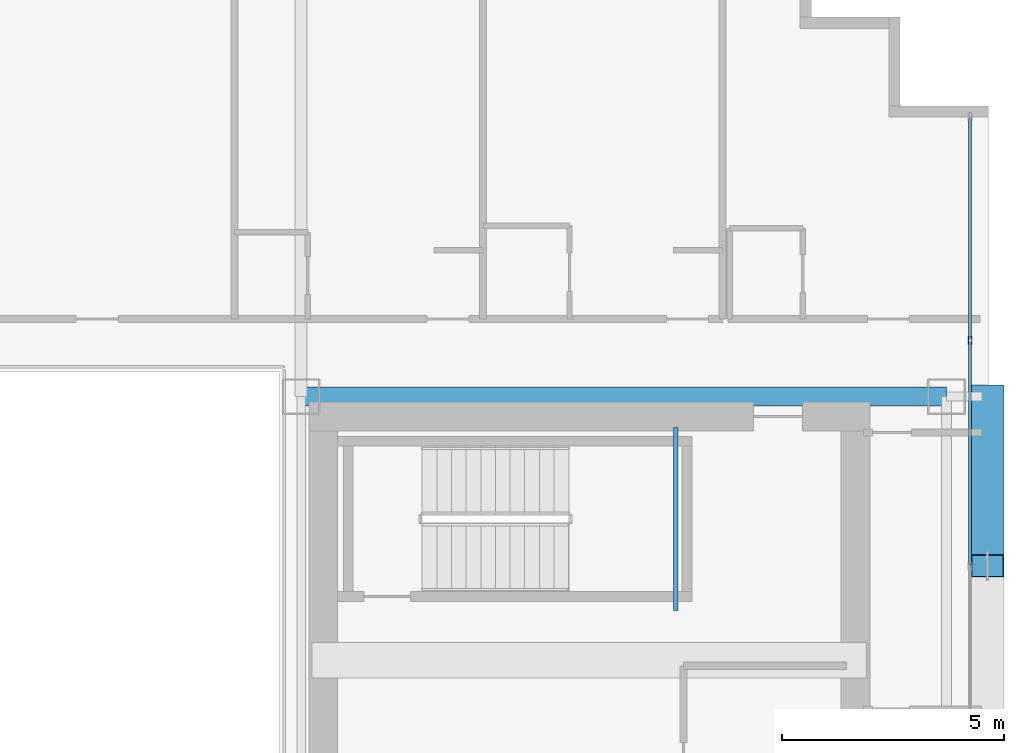
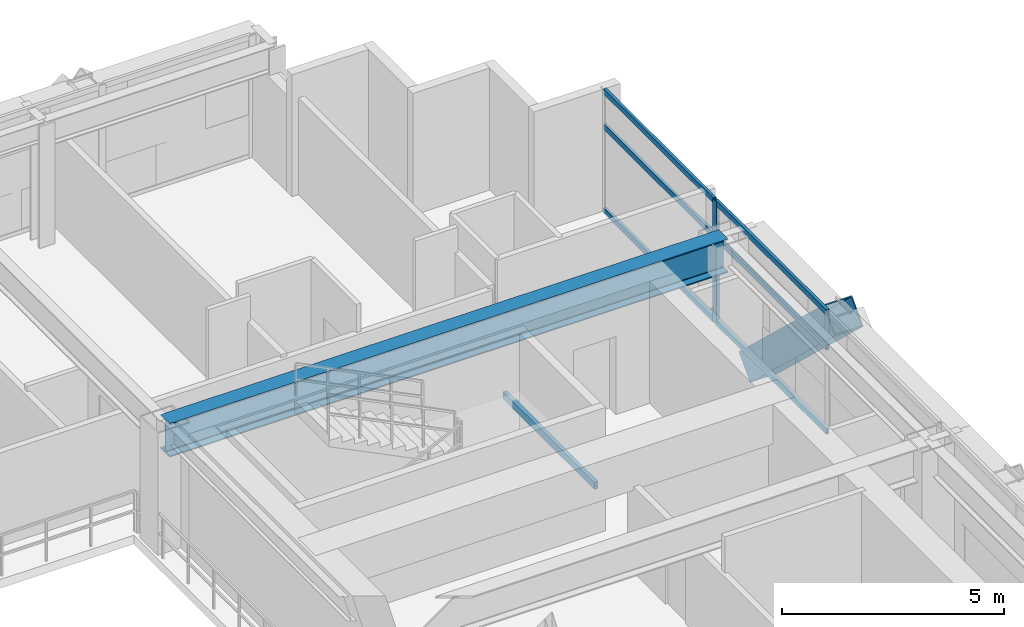
# One storey, part 20 of 35: 8 members, 2 beams, 1 element without a shape of its own.
"""IFC4 building model written with IfcOpenShell, lengths in metres."""

from ifc_helpers import new_model, si_unit, direction, frame, origin, origin_2d, place, context, subcontext, project, spatial, hollow_rectangle, i_section, extrude, source, transform, mapped, material, layer, layer_set, material_profile, profile_set, type_object, element, aggregate, save


model = new_model("IFC4")

# Units and contexts
model_context = context("Model", 3, precision=1e-05, world=origin(), true_north=direction((0.0, 1.0)))
body_context = subcontext(model_context, "Body", "Model", "MODEL_VIEW")
ifc_project = project(units=[si_unit("LENGTHUNIT", "METRE"), si_unit("AREAUNIT", "SQUARE_METRE"), si_unit("VOLUMEUNIT", "CUBIC_METRE"), si_unit("PLANEANGLEUNIT", "RADIAN"), si_unit("MASSUNIT", "GRAM", prefix="KILO")], contexts=[model_context])

# Site, building, storey
site_placement = place(None, origin())
site = spatial("IfcSite", under=ifc_project, at=site_placement, CompositionType="ELEMENT")
building_placement = place(site_placement, origin())
building = spatial("IfcBuilding", under=site, at=building_placement, Name="Ocotamira Hotel", CompositionType="ELEMENT")
storey_placement = place(building_placement, frame((0.0, 0.0, 118.800048828125)))
storey = spatial("IfcBuildingStorey", under=building, at=storey_placement, Name="L29", CompositionType="ELEMENT", Elevation=118.800048828125)

# Beams
ifc_material_1 = material(Name="Steel ASTM A500 Grade C", Category="steel")
ifc_material_profile_1 = material_profile(ifc_material_1, hollow_rectangle(XDim=0.10009765625, YDim=0.199951171875, WallThickness=0.008056640625, at=origin_2d()), Name="HSS200X100X8")
ifc_profile_set_1 = profile_set([ifc_material_profile_1], Name="Steel ASTM A500 Grade C")
beam_type_1 = type_object("IfcBeamType", Name="BM-STLDG-HSS200", PredefinedType="BEAM", material=ifc_profile_set_1)
shared_shape_1 = source(origin(), body_context, "Body", "SweptSolid", [
    extrude(hollow_rectangle(XDim=0.10009765625, YDim=0.199951171875, WallThickness=0.008056640625, at=origin_2d()), origin(), (0.0, 0.0, 1.0), 4.1201171875),
])
beam_1_placement = place(storey_placement, frame((48.949951171875, 32.6298828125, 1.5), z_axis=(0.0, 1.0, 0.0), x_axis=(-1.0, 0.0, 0.0)))
element("IfcBeam", 1, at=beam_1_placement, inside=storey, type_object=beam_type_1, Name="L29 Stair ST-4 Landing Bearer 1", PredefinedType="BEAM", context=body_context, shape_type="MappedRepresentation", body=[
    mapped(shared_shape_1, transform((0.0, 0.0, 0.0), scale=1.0)),
])
ifc_material_2 = material(Name="Steel ASTM A992 Grade 50", Category="steel")
ifc_material_profile_2 = material_profile(ifc_material_2, i_section(OverallWidth=0.41796875, OverallDepth=0.927001953125, WebThickness=0.019287109375, FlangeThickness=0.031982421875, FilletRadius=0.02392578125, at=origin_2d()), Name="W36X231")
ifc_profile_set_2 = profile_set([ifc_material_profile_2], Name="Steel ASTM A992 Grade 50")
beam_type_2 = type_object("IfcBeamType", Name="BM-GIRD-W36X231", PredefinedType="BEAM", material=ifc_profile_set_2)
shared_shape_2 = source(origin(), body_context, "Body", "SweptSolid", [
    extrude(i_section(OverallWidth=0.41796875, OverallDepth=0.927001953125, WebThickness=0.019287109375, FlangeThickness=0.031982421875, FilletRadius=0.02392578125, at=origin_2d()), origin(), (0.0, 0.0, 1.0), 14.550048828125),
])
beam_2_placement = place(storey_placement, frame((40.5, 37.449951171875, 2.896484375), z_axis=(1.0, 0.0, 0.0), x_axis=(0.0, 1.0, 0.0)))
element("IfcBeam", 2, at=beam_2_placement, inside=storey, type_object=beam_type_2, Name="L29 Girder Y37.45 X40.5-55.05", PredefinedType="BEAM", context=body_context, shape_type="MappedRepresentation", body=[
    mapped(shared_shape_2, transform((0.0, 0.0, 0.0), scale=1.0)),
])

# Member
ifc_material_3 = material(Name="Pale-metal coated steel ASTM A913 Grade 65", Category="steel")
ifc_material_profile_3 = material_profile(ifc_material_3, hollow_rectangle(XDim=0.75, YDim=0.75, WallThickness=0.028076171875, at=origin_2d()), Name="BOX750X750X28")
ifc_profile_set_3 = profile_set([ifc_material_profile_3], Name="Pale-metal coated steel ASTM A913 Grade 65")
member_type_1 = type_object("IfcMemberType", Name="MEM-EXO-BOX750", PredefinedType="BRACE", material=ifc_profile_set_3)
shared_shape_3 = source(origin(), body_context, "Body", "SweptSolid", [
    extrude(hollow_rectangle(XDim=0.75, YDim=0.75, WallThickness=0.028076171875, at=origin_2d()), origin(), (0.0, 0.0, 1.0), 5.24658203125),
])
member_1_placement = place(storey_placement, frame((55.969970703125, 37.449951171875, -0.489990234375), z_axis=(0.0, -0.72746596067, 0.686143772154), x_axis=(1.0, 0.0, 0.0)))
element("IfcMember", 3, at=member_1_placement, inside=storey, type_object=member_type_1, Name="L29 Exoskeleton Diagrid E2.2", PredefinedType="BRACE", context=body_context, shape_type="MappedRepresentation", body=[
    mapped(shared_shape_3, transform((0.0, 0.0, 0.0), scale=1.0)),
])

# Curtain wall, members
ifc_material_4 = material(Name="Anodised pale-metal aluminium and solar glass", Category="aluminium")
ifc_layer = layer(ifc_material_4, 0.179931640625)
ifc_layer_set = layer_set([ifc_layer], Name="Anodised pale-metal aluminium and solar glass")
curtain_wall_type = type_object("IfcCurtainWallType", Name="CW-SYS3-Z2", PredefinedType="NOTDEFINED", material=ifc_layer_set)
curtain_wall_placement = place(storey_placement, origin())
curtain_wall = element("IfcCurtainWall", 4, at=curtain_wall_placement, inside=storey, type_object=curtain_wall_type, Name="L29 Curtain Wall CW-3 CW-L29-E", PredefinedType="NOTDEFINED")
ifc_material_5 = material(Name="Anodised pale-metal aluminium 6063-T6", Category="aluminium")
ifc_material_profile_4 = material_profile(ifc_material_5, hollow_rectangle(XDim=0.074951171875, YDim=0.14990234375, WallThickness=0.006103515625, at=origin_2d()), Name="HSS150X75X6")
ifc_profile_set_4 = profile_set([ifc_material_profile_4], Name="Anodised pale-metal aluminium 6063-T6")
member_type_2 = type_object("IfcMemberType", Name="CWT-150X75", PredefinedType="USERDEFINED", material=ifc_profile_set_4)
shared_shape_4 = source(origin(), body_context, "Body", "SweptSolid", [
    extrude(hollow_rectangle(XDim=0.074951171875, YDim=0.14990234375, WallThickness=0.006103515625, at=origin_2d()), origin(), (0.0, 0.0, 1.0), 4.965576171875),
])
member_2_placement = place(storey_placement, frame((55.580078125, 38.75439453125, 0.037353515625), z_axis=(0.0, 1.0, 0.0), x_axis=(-1.0, 0.0, 0.0)))
member_2 = element("IfcMember", 5, at=member_2_placement, type_object=member_type_2, Name="CW-3 transom 7.1", ObjectType="TRANSOM", PredefinedType="USERDEFINED", context=body_context, shape_type="MappedRepresentation", body=[
    mapped(shared_shape_4, transform((0.0, 0.0, 0.0), scale=1.0)),
])
member_3_placement = place(storey_placement, frame((55.580078125, 38.75439453125, 2.349853515625), z_axis=(0.0, 1.0, 0.0), x_axis=(-1.0, 0.0, 0.0)))
member_3 = element("IfcMember", 6, at=member_3_placement, type_object=member_type_2, Name="CW-3 transom 7.2", ObjectType="TRANSOM", PredefinedType="USERDEFINED", context=body_context, shape_type="MappedRepresentation", body=[
    mapped(shared_shape_4, transform((0.0, 0.0, 0.0), scale=1.0)),
])
member_4_placement = place(storey_placement, frame((55.580078125, 38.75439453125, 3.322509765625), z_axis=(0.0, 1.0, 0.0), x_axis=(-1.0, 0.0, 0.0)))
member_4 = element("IfcMember", 7, at=member_4_placement, type_object=member_type_2, Name="CW-3 transom 7.3", ObjectType="TRANSOM", PredefinedType="USERDEFINED", context=body_context, shape_type="MappedRepresentation", body=[
    mapped(shared_shape_4, transform((0.0, 0.0, 0.0), scale=1.0)),
])
shared_shape_5 = source(origin(), body_context, "Body", "SweptSolid", [
    extrude(hollow_rectangle(XDim=0.074951171875, YDim=0.14990234375, WallThickness=0.006103515625, at=origin_2d()), origin(), (0.0, 0.0, 1.0), 5.005859375),
])
member_5_placement = place(storey_placement, frame((55.580078125, 33.66845703125, 0.037353515625), z_axis=(0.0, 1.0, 0.0), x_axis=(-1.0, 0.0, 0.0)))
member_5 = element("IfcMember", 8, at=member_5_placement, type_object=member_type_2, Name="CW-3 transom 6.1", ObjectType="TRANSOM", PredefinedType="USERDEFINED", context=body_context, shape_type="MappedRepresentation", body=[
    mapped(shared_shape_5, transform((0.0, 0.0, 0.0), scale=1.0)),
])
member_6_placement = place(storey_placement, frame((55.580078125, 33.66845703125, 2.349853515625), z_axis=(0.0, 1.0, 0.0), x_axis=(-1.0, 0.0, 0.0)))
member_6 = element("IfcMember", 9, at=member_6_placement, type_object=member_type_2, Name="CW-3 transom 6.2", ObjectType="TRANSOM", PredefinedType="USERDEFINED", context=body_context, shape_type="MappedRepresentation", body=[
    mapped(shared_shape_5, transform((0.0, 0.0, 0.0), scale=1.0)),
])
member_7_placement = place(storey_placement, frame((55.580078125, 33.66845703125, 3.322509765625), z_axis=(0.0, 1.0, 0.0), x_axis=(-1.0, 0.0, 0.0)))
member_7 = element("IfcMember", 10, at=member_7_placement, type_object=member_type_2, Name="CW-3 transom 6.3", ObjectType="TRANSOM", PredefinedType="USERDEFINED", context=body_context, shape_type="MappedRepresentation", body=[
    mapped(shared_shape_5, transform((0.0, 0.0, 0.0), scale=1.0)),
])
ifc_material_profile_5 = material_profile(ifc_material_5, hollow_rectangle(XDim=0.080078125, YDim=0.179931640625, WallThickness=0.006103515625, at=origin_2d()), Name="HSS180X80X6")
ifc_profile_set_5 = profile_set([ifc_material_profile_5], Name="Anodised pale-metal aluminium 6063-T6")
member_type_3 = type_object("IfcMemberType", Name="CWM-180X75", PredefinedType="MULLION", material=ifc_profile_set_5)
shared_shape_6 = source(origin(), body_context, "Body", "SweptSolid", [
    extrude(hollow_rectangle(XDim=0.080078125, YDim=0.179931640625, WallThickness=0.006103515625, at=origin_2d()), origin(), (0.0, 0.0, 1.0), 3.35986328125),
])
member_8_placement = place(storey_placement, frame((55.580078125, 38.71435546875, 0.0), z_axis=(0.0, 0.0, 1.0), x_axis=(-1.0, 0.0, 0.0)))
member_8 = element("IfcMember", 11, at=member_8_placement, type_object=member_type_3, Name="CW-3 mullion 7", PredefinedType="MULLION", context=body_context, shape_type="MappedRepresentation", body=[
    mapped(shared_shape_6, transform((0.0, 0.0, 0.0), scale=1.0)),
])
aggregate(curtain_wall, [member_8, member_5, member_6, member_7, member_2, member_3, member_4])

save(model, "model.ifc")
